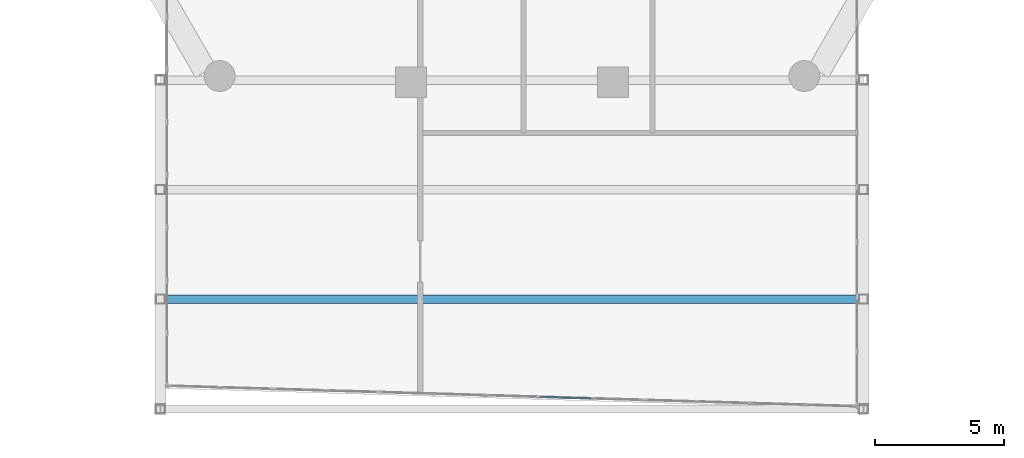
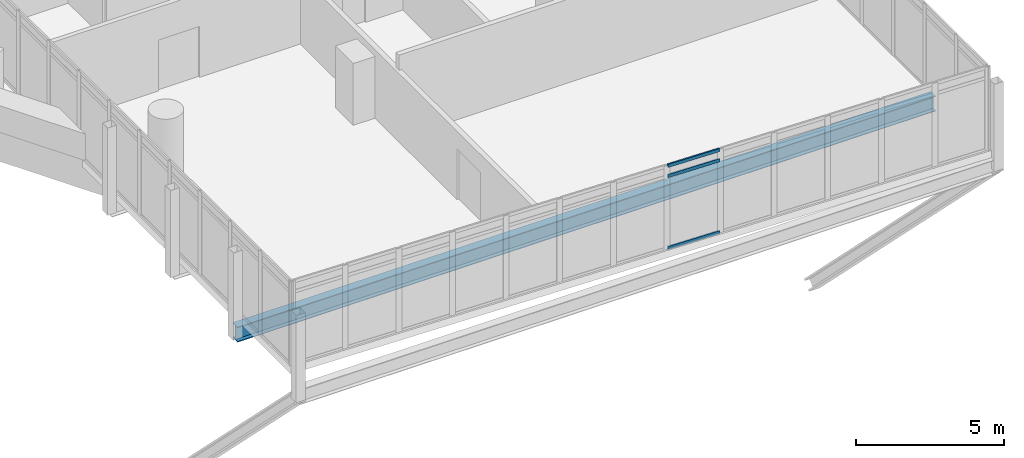
# One storey, part 8 of 37: 3 members, 1 beam, 1 element without a shape of its own.
"""IFC4 building model written with IfcOpenShell, lengths in metres."""

from ifc_helpers import new_model, si_unit, direction, frame, origin, origin_2d, place, context, subcontext, project, spatial, hollow_rectangle, i_section, extrude, material, material_profile, profile_set, type_object, element, aggregate, save


model = new_model("IFC4")

# Units and contexts
model_context = context("Model", 3, precision=1e-05, world=origin(), true_north=direction((0.0, 1.0)))
body_context = subcontext(model_context, "Body", "Model", "MODEL_VIEW")
ifc_project = project(units=[si_unit("LENGTHUNIT", "METRE"), si_unit("AREAUNIT", "SQUARE_METRE"), si_unit("VOLUMEUNIT", "CUBIC_METRE"), si_unit("PLANEANGLEUNIT", "RADIAN"), si_unit("MASSUNIT", "GRAM", prefix="KILO")], contexts=[model_context])

# Site, building, storey
site_placement = place(None, origin())
site = spatial("IfcSite", under=ifc_project, at=site_placement, CompositionType="ELEMENT")
building_placement = place(site_placement, origin())
building = spatial("IfcBuilding", under=site, at=building_placement, Name="Ostrander Bayou Hotel Tower", CompositionType="ELEMENT")
storey_placement = place(building_placement, frame((0.0, 0.0, 93.0)))
storey = spatial("IfcBuildingStorey", under=building, at=storey_placement, Name="L23", CompositionType="ELEMENT", Elevation=93.0)

# Curtain wall, members
ifc_material_1 = material(Name="Aluminium and clear glass", Category="aluminium")
curtain_wall_type = type_object("IfcCurtainWallType", Name="CW-BAR glazed wall", PredefinedType="NOTDEFINED", material=ifc_material_1)
curtain_wall_placement = place(storey_placement, origin())
curtain_wall = element("IfcCurtainWall", 1, at=curtain_wall_placement, inside=storey, type_object=curtain_wall_type, Name="CW-BAR L23:SB2S:T", PredefinedType="NOTDEFINED")
ifc_material_2 = material(Name="Aluminium", Category="aluminium")
ifc_material_profile_1 = material_profile(ifc_material_2, hollow_rectangle(XDim=0.06005859375, YDim=0.1298828125, WallThickness=0.00390625, at=origin_2d()))
ifc_profile_set_1 = profile_set([ifc_material_profile_1], Name="Aluminium")
member_type = type_object("IfcMemberType", Name="CW-BR transom 60 x 130 mm", PredefinedType="USERDEFINED", material=ifc_profile_set_1)
member_1_placement = place(storey_placement, frame((1.058349609375, -31.7314453125, 0.030029296875), z_axis=(0.999555090424, -0.029826518535, 0.0), x_axis=(0.029826518535, 0.999555090424, 0.0)))
member_1 = element("IfcMember", 2, at=member_1_placement, type_object=member_type, Name="CW-BAR transom 8.1", ObjectType="TRANSOM", PredefinedType="USERDEFINED", context=body_context, shape_type="SweptSolid", body=[
    extrude(hollow_rectangle(XDim=0.06005859375, YDim=0.1298828125, WallThickness=0.00390625, at=origin_2d()), origin(), (0.0, 0.0, 1.0), 1.997314453125),
])
member_2_placement = place(storey_placement, frame((1.058349609375, -31.7314453125, 3.0), z_axis=(0.999555090424, -0.029826518535, 0.0), x_axis=(0.029826518535, 0.999555090424, 0.0)))
member_2 = element("IfcMember", 3, at=member_2_placement, type_object=member_type, Name="CW-BAR transom 8.2", ObjectType="TRANSOM", PredefinedType="USERDEFINED", context=body_context, shape_type="SweptSolid", body=[
    extrude(hollow_rectangle(XDim=0.06005859375, YDim=0.1298828125, WallThickness=0.00390625, at=origin_2d()), origin(), (0.0, 0.0, 1.0), 1.997314453125),
])
member_3_placement = place(storey_placement, frame((1.058349609375, -31.7314453125, 3.419921875), z_axis=(0.999555090424, -0.029826518535, 0.0), x_axis=(0.029826518535, 0.999555090424, 0.0)))
member_3 = element("IfcMember", 4, at=member_3_placement, type_object=member_type, Name="CW-BAR transom 8.3", ObjectType="TRANSOM", PredefinedType="USERDEFINED", context=body_context, shape_type="SweptSolid", body=[
    extrude(hollow_rectangle(XDim=0.06005859375, YDim=0.1298828125, WallThickness=0.00390625, at=origin_2d()), origin(), (0.0, 0.0, 1.0), 1.997314453125),
])
aggregate(curtain_wall, [member_1, member_2, member_3])

# Beam
ifc_material_3 = material(Name="Steel ASTM A992", Category="steel")
ifc_material_profile_2 = material_profile(ifc_material_3, i_section(OverallWidth=0.32763671875, OverallDepth=0.621826171875, WebThickness=0.015380859375, FlangeThickness=0.0244140625, at=origin_2d()))
ifc_profile_set_2 = profile_set([ifc_material_profile_2], Name="Steel ASTM A992")
beam_type = type_object("IfcBeamType", Name="TF1 bar floor beam W24x131", PredefinedType="BEAM", material=ifc_profile_set_2)
beam_placement = place(storey_placement, frame((-13.6201171875, -27.9501953125, -0.61083984375), z_axis=(1.0, 0.0, 0.0), x_axis=(0.0, 1.0, 0.0)))
element("IfcBeam", 5, at=beam_placement, inside=storey, type_object=beam_type, Name="TF1 SB2S L1-3", PredefinedType="BEAM", context=body_context, shape_type="SweptSolid", body=[
    extrude(i_section(OverallWidth=0.32763671875, OverallDepth=0.621826171875, WebThickness=0.015380859375, FlangeThickness=0.0244140625, at=origin_2d()), origin(), (0.0, 0.0, 1.0), 27.240234375),
])

save(model, "model.ifc")
